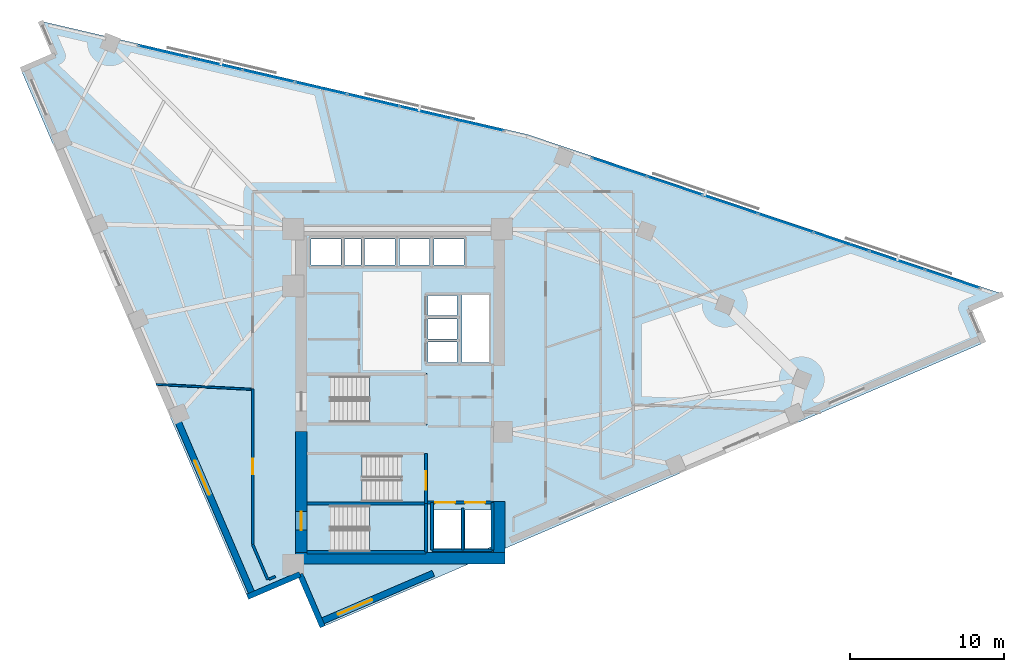
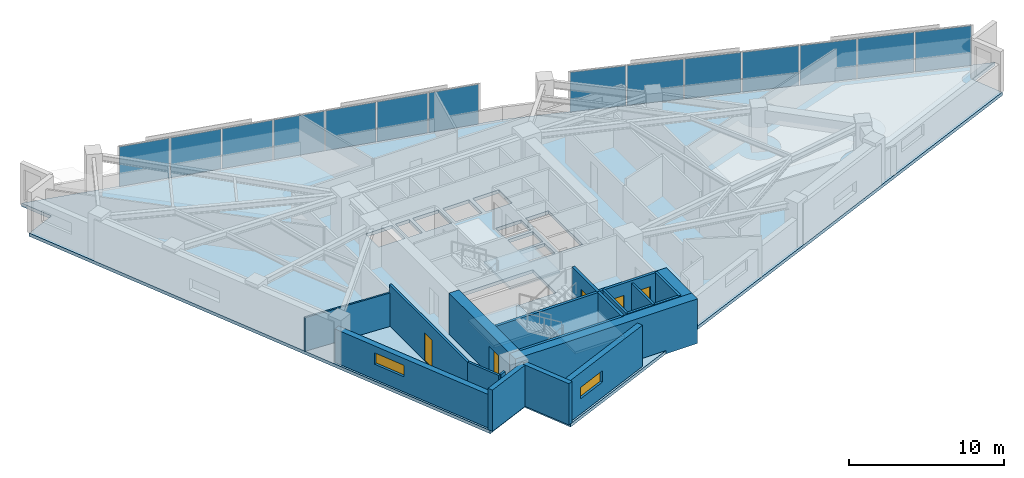
# One storey, part 8 of 15: 20 walls, 14 plates, 5 doors, 4 slabs, 2 windows, 7 openings, 5 elements without a shape of their own.
"""IFC4 building model written with IfcOpenShell, lengths in metres."""

from ifc_helpers import new_model, si_unit, direction, frame, frame_2d, origin, origin_2d, place, context, subcontext, project, spatial, polyline, rectangle, outline, extrude, material, layer, layer_set, type_object, element, fill, aggregate, save


model = new_model("IFC4")

# Units and contexts
model_context = context("Model", 3, precision=1e-05, world=origin(), true_north=direction((0.0, 1.0)))
body_context = subcontext(model_context, "Body", "Model", "MODEL_VIEW")
ifc_project = project(units=[si_unit("LENGTHUNIT", "METRE"), si_unit("AREAUNIT", "SQUARE_METRE"), si_unit("VOLUMEUNIT", "CUBIC_METRE"), si_unit("PLANEANGLEUNIT", "RADIAN"), si_unit("MASSUNIT", "GRAM", prefix="KILO")], contexts=[model_context])

# Site, building, storey
site_placement = place(None, origin())
site = spatial("IfcSite", under=ifc_project, at=site_placement, CompositionType="ELEMENT")
building_placement = place(site_placement, origin())
building = spatial("IfcBuilding", under=site, at=building_placement, Name="Narakoshi Arena Tower", CompositionType="ELEMENT")
storey_placement = place(building_placement, frame((0.0, 0.0, 186.139892578125)))
storey = spatial("IfcBuildingStorey", under=building, at=storey_placement, Name="L50", CompositionType="ELEMENT", Elevation=186.139892578125)

# Curtain wall, plates
ifc_material_1 = material(Name="Anodised bronze aluminium 6063-T6", Category="aluminium")
curtain_wall_type = type_object("IfcCurtainWallType", Name="CW-HYP-MID", PredefinedType="NOTDEFINED", material=ifc_material_1)
curtain_wall_1_placement = place(storey_placement, origin())
curtain_wall_1 = element("IfcCurtainWall", 1, at=curtain_wall_1_placement, inside=storey, type_object=curtain_wall_type, Name="L50 Folded Hypotenuse Curtain Wall 1-1", PredefinedType="NOTDEFINED")
ifc_material_2 = material(Name="Bronze-tinted low-E laminated glass", Category="glass")
ifc_layer_1 = layer(ifc_material_2, 0.0380859375)
ifc_layer_set_1 = layer_set([ifc_layer_1], Name="Bronze-tinted low-E laminated glass")
plate_type = type_object("IfcPlateType", Name="PLT-GLZ-38", PredefinedType="CURTAIN_PANEL", material=ifc_layer_set_1)
plate_1_placement = place(storey_placement, frame((114.78466796875, 53.2509765625, 0.065185546875), z_axis=(0.0, 0.0, 1.0), x_axis=(-0.948003144077, 0.318260960253, 0.0)))
plate_1 = element("IfcPlate", 2, at=plate_1_placement, type_object=plate_type, Name="CW-02 panel 1.1", PredefinedType="CURTAIN_PANEL", context=body_context, shape_type="SweptSolid", body=[
    extrude(rectangle(XDim=3.69287109375, YDim=0.0380859375, at=origin_2d()), origin(), (0.0, 0.0, 1.0), 3.1298828125),
])
plate_2_placement = place(storey_placement, frame((111.19482421875, 54.4560546875, 0.065185546875), z_axis=(0.0, 0.0, 1.0), x_axis=(-0.948003144077, 0.318260960253, 0.0)))
plate_2 = element("IfcPlate", 3, at=plate_2_placement, type_object=plate_type, Name="CW-02 panel 2.1", PredefinedType="CURTAIN_PANEL", context=body_context, shape_type="SweptSolid", body=[
    extrude(rectangle(XDim=3.73046875, YDim=0.0380859375, at=origin_2d()), origin(), (0.0, 0.0, 1.0), 3.1298828125),
])
plate_3_placement = place(storey_placement, frame((107.58740234375, 55.667236328125, 0.065185546875), z_axis=(0.0, 0.0, 1.0), x_axis=(-0.948003144077, 0.318260960253, 0.0)))
plate_3 = element("IfcPlate", 4, at=plate_3_placement, type_object=plate_type, Name="CW-02 panel 3.1", PredefinedType="CURTAIN_PANEL", context=body_context, shape_type="SweptSolid", body=[
    extrude(rectangle(XDim=3.73046875, YDim=0.0380859375, at=origin_2d()), origin(), (0.0, 0.0, 1.0), 3.1298828125),
])
plate_4_placement = place(storey_placement, frame((103.979736328125, 56.87841796875, 0.065185546875), z_axis=(0.0, 0.0, 1.0), x_axis=(-0.948003144077, 0.318260960253, 0.0)))
plate_4 = element("IfcPlate", 5, at=plate_4_placement, type_object=plate_type, Name="CW-02 panel 4.1", PredefinedType="CURTAIN_PANEL", context=body_context, shape_type="SweptSolid", body=[
    extrude(rectangle(XDim=3.73046875, YDim=0.0380859375, at=origin_2d()), origin(), (0.0, 0.0, 1.0), 3.1298828125),
])
plate_5_placement = place(storey_placement, frame((100.3720703125, 58.089599609375, 0.065185546875), z_axis=(0.0, 0.0, 1.0), x_axis=(-0.948003144077, 0.318260960253, 0.0)))
plate_5 = element("IfcPlate", 6, at=plate_5_placement, type_object=plate_type, Name="CW-02 panel 5.1", PredefinedType="CURTAIN_PANEL", context=body_context, shape_type="SweptSolid", body=[
    extrude(rectangle(XDim=3.73046875, YDim=0.0380859375, at=origin_2d()), origin(), (0.0, 0.0, 1.0), 3.1298828125),
])
plate_6_placement = place(storey_placement, frame((96.7646484375, 59.300537109375, 0.065185546875), z_axis=(0.0, 0.0, 1.0), x_axis=(-0.948003144077, 0.318260960253, 0.0)))
plate_6 = element("IfcPlate", 7, at=plate_6_placement, type_object=plate_type, Name="CW-02 panel 6.1", PredefinedType="CURTAIN_PANEL", context=body_context, shape_type="SweptSolid", body=[
    extrude(rectangle(XDim=3.73046875, YDim=0.0380859375, at=origin_2d()), origin(), (0.0, 0.0, 1.0), 3.1298828125),
])
plate_7_placement = place(storey_placement, frame((93.1748046875, 60.505859375, 0.065185546875), z_axis=(0.0, 0.0, 1.0), x_axis=(-0.948003144077, 0.318260960253, 0.0)))
plate_7 = element("IfcPlate", 8, at=plate_7_placement, type_object=plate_type, Name="CW-02 panel 7.1", PredefinedType="CURTAIN_PANEL", context=body_context, shape_type="SweptSolid", body=[
    extrude(rectangle(XDim=3.69287109375, YDim=0.0380859375, at=origin_2d()), origin(), (0.0, 0.0, 1.0), 3.1298828125),
])
aggregate(curtain_wall_1, [plate_1, plate_2, plate_3, plate_4, plate_5, plate_6, plate_7])

curtain_wall_2_placement = place(storey_placement, origin())
curtain_wall_2 = element("IfcCurtainWall", 9, at=curtain_wall_2_placement, inside=storey, type_object=curtain_wall_type, Name="L50 Folded Hypotenuse Curtain Wall 2-1", PredefinedType="NOTDEFINED")
plate_8_placement = place(storey_placement, frame((83.994384765625, 63.260986328125, 0.065185546875), z_axis=(0.0, 0.0, 1.0), x_axis=(-0.973959704148, 0.226721182724, 0.0)))
plate_8 = element("IfcPlate", 10, at=plate_8_placement, type_object=plate_type, Name="CW-02 panel 1.1", PredefinedType="CURTAIN_PANEL", context=body_context, shape_type="SweptSolid", body=[
    extrude(rectangle(XDim=3.37939453125, YDim=0.0380859375, at=origin_2d()), origin(), (0.0, 0.0, 1.0), 3.1298828125),
])
plate_9_placement = place(storey_placement, frame((80.61181640625, 64.048583984375, 0.065185546875), z_axis=(0.0, 0.0, 1.0), x_axis=(-0.973959704148, 0.226721182724, 0.0)))
plate_9 = element("IfcPlate", 11, at=plate_9_placement, type_object=plate_type, Name="CW-02 panel 2.1", PredefinedType="CURTAIN_PANEL", context=body_context, shape_type="SweptSolid", body=[
    extrude(rectangle(XDim=3.416748046875, YDim=0.0380859375, at=origin_2d()), origin(), (0.0, 0.0, 1.0), 3.1298828125),
])
plate_10_placement = place(storey_placement, frame((77.2109375, 64.840087890625, 0.065185546875), z_axis=(0.0, 0.0, 1.0), x_axis=(-0.973959704148, 0.226721182724, 0.0)))
plate_10 = element("IfcPlate", 12, at=plate_10_placement, type_object=plate_type, Name="CW-02 panel 3.1", PredefinedType="CURTAIN_PANEL", context=body_context, shape_type="SweptSolid", body=[
    extrude(rectangle(XDim=3.416748046875, YDim=0.0380859375, at=origin_2d()), origin(), (0.0, 0.0, 1.0), 3.1298828125),
])
plate_11_placement = place(storey_placement, frame((73.81005859375, 65.6318359375, 0.065185546875), z_axis=(0.0, 0.0, 1.0), x_axis=(-0.973959704148, 0.226721182724, 0.0)))
plate_11 = element("IfcPlate", 13, at=plate_11_placement, type_object=plate_type, Name="CW-02 panel 4.1", PredefinedType="CURTAIN_PANEL", context=body_context, shape_type="SweptSolid", body=[
    extrude(rectangle(XDim=3.416748046875, YDim=0.0380859375, at=origin_2d()), origin(), (0.0, 0.0, 1.0), 3.1298828125),
])
plate_12_placement = place(storey_placement, frame((70.4091796875, 66.423583984375, 0.065185546875), z_axis=(0.0, 0.0, 1.0), x_axis=(-0.973959704148, 0.226721182724, 0.0)))
plate_12 = element("IfcPlate", 14, at=plate_12_placement, type_object=plate_type, Name="CW-02 panel 5.1", PredefinedType="CURTAIN_PANEL", context=body_context, shape_type="SweptSolid", body=[
    extrude(rectangle(XDim=3.416748046875, YDim=0.0380859375, at=origin_2d()), origin(), (0.0, 0.0, 1.0), 3.1298828125),
])
plate_13_placement = place(storey_placement, frame((67.00830078125, 67.215087890625, 0.065185546875), z_axis=(0.0, 0.0, 1.0), x_axis=(-0.973959704148, 0.226721182724, 0.0)))
plate_13 = element("IfcPlate", 15, at=plate_13_placement, type_object=plate_type, Name="CW-02 panel 6.1", PredefinedType="CURTAIN_PANEL", context=body_context, shape_type="SweptSolid", body=[
    extrude(rectangle(XDim=3.416748046875, YDim=0.0380859375, at=origin_2d()), origin(), (0.0, 0.0, 1.0), 3.1298828125),
])
plate_14_placement = place(storey_placement, frame((63.625732421875, 68.002685546875, 0.065185546875), z_axis=(0.0, 0.0, 1.0), x_axis=(-0.973959704148, 0.226721182724, 0.0)))
plate_14 = element("IfcPlate", 16, at=plate_14_placement, type_object=plate_type, Name="CW-02 panel 7.1", PredefinedType="CURTAIN_PANEL", context=body_context, shape_type="SweptSolid", body=[
    extrude(rectangle(XDim=3.37939453125, YDim=0.0380859375, at=origin_2d()), origin(), (0.0, 0.0, 1.0), 3.1298828125),
])
aggregate(curtain_wall_2, [plate_8, plate_9, plate_10, plate_11, plate_12, plate_13, plate_14])

# Stair, slab
ifc_material_3 = material(Name="Concrete C45/55", Category="concrete")
stair_type = type_object("IfcStairType", Name="STR-CORE-352", PredefinedType="TWO_STRAIGHT_RUN_STAIR", material=ifc_material_3)
stair_1_placement = place(storey_placement, origin())
stair_1 = element("IfcStair", 17, at=stair_1_placement, inside=storey, type_object=stair_type, Name="L50 Core Escape Stair ST1", PredefinedType="TWO_STRAIGHT_RUN_STAIR")
ifc_layer_2 = layer(ifc_material_3, 0.18994140625)
ifc_layer_set_2 = layer_set([ifc_layer_2], Name="Concrete C45/55")
slab_type_1 = type_object("IfcSlabType", Name="SLB-LND-190", PredefinedType="LANDING", material=ifc_layer_set_2)
slab_1_placement = place(storey_placement, frame((0.0, 0.0, 1.570068359375)))
slab_1 = element("IfcSlab", 18, at=slab_1_placement, type_object=slab_type_1, Name="ST1 landing 1", PredefinedType="LANDING", context=body_context, shape_type="SweptSolid", body=[
    extrude(outline(polyline([(76.965087890625, 35.3701171875), (80.679931640625, 35.3701171875), (80.679931640625, 38.72998046875), (76.965087890625, 38.72998046875), (76.965087890625, 35.3701171875)])), origin(), (0.0, 0.0, 1.0), 0.18994140625),
])
aggregate(stair_1, [slab_1])

stair_2_placement = place(storey_placement, origin())
stair_2 = element("IfcStair", 19, at=stair_2_placement, inside=storey, type_object=stair_type, Name="L50 Core Escape Stair ST2", PredefinedType="TWO_STRAIGHT_RUN_STAIR")
slab_2_placement = place(storey_placement, frame((0.0, 0.0, 1.570068359375)))
slab_2 = element("IfcSlab", 20, at=slab_2_placement, type_object=slab_type_1, Name="ST2 landing 1", PredefinedType="LANDING", context=body_context, shape_type="SweptSolid", body=[
    extrude(outline(polyline([(72.77001953125, 38.6201171875), (76.485107421875, 38.6201171875), (76.485107421875, 41.97998046875), (72.77001953125, 41.97998046875), (72.77001953125, 38.6201171875)])), origin(), (0.0, 0.0, 1.0), 0.18994140625),
])
aggregate(stair_2, [slab_2])

stair_3_placement = place(storey_placement, origin())
stair_3 = element("IfcStair", 21, at=stair_3_placement, inside=storey, type_object=stair_type, Name="L50 Core Escape Stair ST3", PredefinedType="TWO_STRAIGHT_RUN_STAIR")
slab_3_placement = place(storey_placement, frame((0.0, 0.0, 1.570068359375)))
slab_3 = element("IfcSlab", 22, at=slab_3_placement, type_object=slab_type_1, Name="ST3 landing 1", PredefinedType="LANDING", context=body_context, shape_type="SweptSolid", body=[
    extrude(outline(polyline([(76.965087890625, 43.77001953125), (80.679931640625, 43.77001953125), (80.679931640625, 47.1298828125), (76.965087890625, 47.1298828125), (76.965087890625, 43.77001953125)])), origin(), (0.0, 0.0, 1.0), 0.18994140625),
])
aggregate(stair_3, [slab_3])

# Slab
ifc_material_4 = material(Name="Concrete C50/60", Category="concrete")
ifc_layer_3 = layer(ifc_material_4, 0.260009765625)
ifc_layer_set_3 = layer_set([ifc_layer_3], Name="Concrete C50/60")
slab_type_2 = type_object("IfcSlabType", Name="SLB-SKY-260", PredefinedType="FLOOR", material=ifc_layer_set_3)
slab_4_placement = place(storey_placement, frame((0.0, 0.0, -0.260009765625)))
element("IfcSlab", 23, at=slab_4_placement, inside=storey, type_object=slab_type_2, Name="L50 Structural Floor Slab", PredefinedType="FLOOR", context=body_context, shape_type="SweptSolid", body=[
    extrude(outline(polyline([(73.9169921875, 30.68115234375), (116.8017578125, 49.105712890625), (115.84912109375, 51.3232421875), (118.06640625, 52.27587890625), (87.201416015625, 62.6376953125), (55.614013671875, 69.99072265625), (56.56640625, 67.7734375), (54.34912109375, 66.82080078125), (69.0400390625, 32.626708984375), (72.451416015625, 34.09228515625), (73.9169921875, 30.68115234375)]), holes=[polyline([(80.5, 35.550048828125), (74.47998046875, 35.550048828125), (74.47998046875, 38.550048828125), (80.5, 38.550048828125), (80.5, 35.550048828125)]), polyline([(82.89990234375, 35.75), (81.14990234375, 35.75), (81.14990234375, 38.25), (82.89990234375, 38.25), (82.89990234375, 35.75)]), polyline([(84.5751953125, 35.75), (83.14990234375, 35.75), (83.14990234375, 38.25), (84.89990234375, 38.25), (84.89990234375, 35.889404296875), (84.5751953125, 35.75)]), polyline([(72.949951171875, 38.800048828125), (72.949951171875, 41.800048828125), (78.969970703125, 41.800048828125), (78.969970703125, 38.800048828125), (72.949951171875, 38.800048828125)]), polyline([(74.47998046875, 43.949951171875), (74.47998046875, 46.949951171875), (80.5, 46.949951171875), (80.5, 43.949951171875), (74.47998046875, 43.949951171875)]), polyline([(82.949951171875, 47.840087890625), (82.949951171875, 52.199951171875), (84.699951171875, 52.199951171875), (84.699951171875, 47.840087890625), (82.949951171875, 47.840087890625)]), polyline([(80.75, 47.85009765625), (80.75, 49.14990234375), (82.64990234375, 49.14990234375), (82.64990234375, 47.85009765625), (80.75, 47.85009765625)]), polyline([(80.75, 49.3701171875), (80.75, 50.669921875), (82.64990234375, 50.669921875), (82.64990234375, 49.3701171875), (80.75, 49.3701171875)]), polyline([(80.75, 50.889892578125), (80.75, 52.18994140625), (82.64990234375, 52.18994140625), (82.64990234375, 50.889892578125), (80.75, 50.889892578125)]), polyline([(73.14990234375, 54.14990234375), (73.14990234375, 55.85009765625), (75.10009765625, 55.85009765625), (75.10009765625, 54.14990234375), (73.14990234375, 54.14990234375)]), polyline([(75.35009765625, 54.14990234375), (75.35009765625, 55.85009765625), (76.39990234375, 55.85009765625), (76.39990234375, 54.14990234375), (75.35009765625, 54.14990234375)]), polyline([(76.64990234375, 54.14990234375), (76.64990234375, 55.85009765625), (78.60009765625, 55.85009765625), (78.60009765625, 54.14990234375), (76.64990234375, 54.14990234375)]), polyline([(78.89990234375, 54.14990234375), (78.89990234375, 55.85009765625), (80.85009765625, 55.85009765625), (80.85009765625, 54.14990234375), (78.89990234375, 54.14990234375)]), polyline([(81.14990234375, 54.14990234375), (81.14990234375, 55.85009765625), (83.10009765625, 55.85009765625), (83.10009765625, 54.14990234375), (81.14990234375, 54.14990234375)])]), origin(), (0.0, 0.0, 1.0), 0.260009765625),
])

# Wall, opening, door
ifc_layer_4 = layer(ifc_material_4, 0.75)
ifc_layer_set_4 = layer_set([ifc_layer_4], Name="Concrete C50/60")
wall_type_1 = type_object("IfcWallType", Name="WL-CORE-750", PredefinedType="SHEAR", material=ifc_layer_set_4)
wall_1_placement = place(storey_placement, frame((72.52490234375, 35.5, -0.260009765625), z_axis=(0.0, 0.0, 1.0), x_axis=(0.0, 1.0, 0.0)))
wall_1 = element("IfcWall", 24, at=wall_1_placement, inside=storey, type_object=wall_type_1, Name="L50 Central Core Shear Wall CW-APX-W", PredefinedType="SHEAR", context=body_context, shape_type="SweptSolid", body=[
    extrude(rectangle(XDim=7.85009765625, YDim=0.75, at=frame_2d((3.925048828125, 0.0))), origin(), (0.0, 0.0, 1.0), 3.52001953125),
])
opening_1_placement = place(wall_1_placement, frame((1.449951171875, 0.0, 0.260009765625)))
opening_1 = element("IfcOpeningElement", 25, at=opening_1_placement, cuts=wall_1, Name="Opening D-03", PredefinedType="OPENING", context=body_context, shape_type="SweptSolid", body=[
    extrude(rectangle(XDim=1.199951171875, YDim=2.199951171875, at=frame_2d((0.60009765625, 1.10009765625))), frame((0.0, 0.385009765625, 0.0), z_axis=(0.0, -1.0, 0.0), x_axis=(1.0, 0.0, 0.0)), (0.0, 0.0, 1.0), 0.77001953125),
])
ifc_material_5 = material(Name="Painted galvanized steel", Category="steel")
door_type_1 = type_object("IfcDoorType", Name="DR-STR-1200", OperationType="NOTDEFINED", PredefinedType="USERDEFINED", material=ifc_material_5)
door_1_placement = place(opening_1_placement, frame((1.199951171875, 0.0, 0.0), z_axis=(0.0, 0.0, 1.0), x_axis=(-1.0, 0.0, 0.0)))
door_1 = element("IfcDoor", 26, at=door_1_placement, inside=storey, type_object=door_type_1, Name="DR-L50-001", ObjectType="EXITDOOR", OperationType="SINGLE_SWING_LEFT", OverallHeight=2.199951171875, OverallWidth=1.199951171875, PredefinedType="USERDEFINED", context=body_context, shape_type="SweptSolid", body=[
    extrude(rectangle(XDim=1.199951171875, YDim=2.199951171875, at=frame_2d((0.60009765625, 1.10009765625))), frame((0.0, 0.02490234375, 0.0), z_axis=(0.0, -1.0, 0.0), x_axis=(1.0, 0.0, 0.0)), (0.0, 0.0, 1.0), 0.050048828125),
])
fill(opening_1, door_1)

# Walls
wall_2_placement = place(storey_placement, frame((72.14990234375, 35.125, -0.260009765625), z_axis=(0.0, 0.0, 1.0), x_axis=(1.0, 0.0, 0.0)))
element("IfcWall", 27, at=wall_2_placement, inside=storey, type_object=wall_type_1, Name="L50 Central Core Shear Wall CW-APX-S", PredefinedType="SHEAR", context=body_context, shape_type="SweptSolid", body=[
    extrude(rectangle(XDim=13.60009765625, YDim=0.75, at=frame_2d((6.800048828125, 0.0))), origin(), (0.0, 0.0, 1.0), 3.52001953125),
])
wall_3_placement = place(storey_placement, frame((85.375, 35.5, -0.260009765625), z_axis=(0.0, 0.0, 1.0), x_axis=(0.0, 1.0, 0.0)))
element("IfcWall", 28, at=wall_3_placement, inside=storey, type_object=wall_type_1, Name="L50 Central Core Shear Wall CW-APX-E", PredefinedType="SHEAR", context=body_context, shape_type="SweptSolid", body=[
    extrude(rectangle(XDim=3.300048828125, YDim=0.75, at=frame_2d((1.64990234375, 0.0))), origin(), (0.0, 0.0, 1.0), 3.52001953125),
])

# Wall, opening, door
ifc_material_6 = material(Name="Gypsum plasterboard fire-rated partition")
ifc_layer_5 = layer(ifc_material_6, 0.1650390625)
ifc_layer_set_5 = layer_set([ifc_layer_5], Name="Gypsum plasterboard fire-rated partition")
wall_type_2 = type_object("IfcWallType", Name="WL-CORR-165", PredefinedType="PARTITIONING", material=ifc_layer_set_5)
wall_4_placement = place(storey_placement, frame((69.376220703125, 46.12548828125, 0.0), z_axis=(0.0, 0.0, 1.0), x_axis=(0.0, -1.0, 0.0)))
wall_4 = element("IfcWall", 29, at=wall_4_placement, inside=storey, type_object=wall_type_2, Name="L50 Corridor Partition 01-1", PredefinedType="PARTITIONING", context=body_context, shape_type="SweptSolid", body=[
    extrude(rectangle(XDim=10.10107421875, YDim=0.1650390625, at=frame_2d((5.050537109375, 0.0))), origin(), (0.0, 0.0, 1.0), 3.260009765625),
])
opening_2_placement = place(wall_4_placement, frame((4.550537109375, 0.0, 0.0)))
opening_2 = element("IfcOpeningElement", 30, at=opening_2_placement, cuts=wall_4, Name="Opening D-06", PredefinedType="OPENING", context=body_context, shape_type="SweptSolid", body=[
    extrude(rectangle(XDim=1.0, YDim=2.199951171875, at=frame_2d((0.5, 1.10009765625))), frame((0.0, 0.092529296875, 0.0), z_axis=(0.0, -1.0, 0.0), x_axis=(1.0, 0.0, 0.0)), (0.0, 0.0, 1.0), 0.18505859375),
])
ifc_material_7 = material(Name="Stained oak solid-core timber", Category="wood")
door_type_2 = type_object("IfcDoorType", Name="DR-OFF-1000", OperationType="NOTDEFINED", PredefinedType="DOOR", material=ifc_material_7)
door_2_placement = place(opening_2_placement, frame((1.0, 0.0, 0.0), z_axis=(0.0, 0.0, 1.0), x_axis=(-1.0, 0.0, 0.0)))
door_2 = element("IfcDoor", 31, at=door_2_placement, inside=storey, type_object=door_type_2, Name="DR-L50-015", OperationType="SINGLE_SWING_RIGHT", OverallHeight=2.199951171875, OverallWidth=1.0, PredefinedType="DOOR", context=body_context, shape_type="SweptSolid", body=[
    extrude(rectangle(XDim=1.0, YDim=2.199951171875, at=frame_2d((0.5, 1.10009765625))), frame((0.0, 0.02490234375, 0.0), z_axis=(0.0, -1.0, 0.0), x_axis=(1.0, 0.0, 0.0)), (0.0, 0.0, 1.0), 0.050048828125),
])
fill(opening_2, door_2)

# Walls
wall_5_placement = place(storey_placement, frame((69.376220703125, 36.0244140625, 0.0), z_axis=(0.0, 0.0, 1.0), x_axis=(0.394712324254, -0.91880475678, 0.0)))
element("IfcWall", 32, at=wall_5_placement, inside=storey, type_object=wall_type_2, Name="L50 Corridor Partition 01-2", PredefinedType="PARTITIONING", context=body_context, shape_type="SweptSolid", body=[
    extrude(rectangle(XDim=2.489013671875, YDim=0.1650390625, at=frame_2d((1.24462890625, 0.0))), origin(), (0.0, 0.0, 1.0), 3.260009765625),
])
wall_6_placement = place(storey_placement, frame((70.445556640625, 33.77490234375, 0.0), z_axis=(0.0, 0.0, 1.0), x_axis=(0.918836319852, 0.394638844161, 0.0)))
element("IfcWall", 33, at=wall_6_placement, inside=storey, type_object=wall_type_2, Name="L50 Corridor Partition 01-3", PredefinedType="PARTITIONING", context=body_context, shape_type="SweptSolid", body=[
    extrude(rectangle(XDim=0.450439453125, YDim=0.1650390625, at=frame_2d((0.22509765625, 0.0))), origin(), (0.0, 0.0, 1.0), 3.260009765625),
])
ifc_layer_6 = layer(ifc_material_6, 0.125)
ifc_layer_set_6 = layer_set([ifc_layer_6], Name="Gypsum plasterboard fire-rated partition")
wall_type_3 = type_object("IfcWallType", Name="WL-PART-125", PredefinedType="PARTITIONING", material=ifc_layer_set_6)
wall_7_placement = place(storey_placement, frame((63.1181640625, 46.410400390625, 0.0), z_axis=(0.0, 0.0, 1.0), x_axis=(0.998689012004, -0.051188448924, 0.0)))
element("IfcWall", 34, at=wall_7_placement, inside=storey, type_object=wall_type_3, Name="L50 Inter-Room Partition 01-09", PredefinedType="PARTITIONING", context=body_context, shape_type="SweptSolid", body=[
    extrude(rectangle(XDim=6.171630859375, YDim=0.125, at=frame_2d((3.0859375, 0.0))), origin(), (0.0, 0.0, 1.0), 2.64501953125),
])

# Wall, opening, window
ifc_material_8 = material(Name="Precast concrete C45/55", Category="concrete")
ifc_layer_7 = layer(ifc_material_8, 0.419921875)
ifc_layer_set_7 = layer_set([ifc_layer_7], Name="Precast concrete C45/55")
wall_type_4 = type_object("IfcWallType", Name="WL-POD-420", PredefinedType="SOLIDWALL", material=ifc_layer_set_7)
wall_8_placement = place(storey_placement, frame((73.77880859375, 31.002685546875, 0.0), z_axis=(0.0, 0.0, 1.0), x_axis=(0.918797817688, 0.394728476565, 0.0)))
wall_8 = element("IfcWall", 35, at=wall_8_placement, inside=storey, type_object=wall_type_4, Name="L50 Architectural Concrete Facade Wall LEGA-1", PredefinedType="SOLIDWALL", context=body_context, shape_type="SweptSolid", body=[
    extrude(rectangle(XDim=7.97314453125, YDim=0.419921875, at=frame_2d((3.986572265625, 0.0))), origin(), (0.0, 0.0, 1.0), 3.260009765625),
])
opening_3_placement = place(wall_8_placement, frame((1.234130859375, 0.0, 1.199951171875)))
opening_3 = element("IfcOpeningElement", 36, at=opening_3_placement, cuts=wall_8, Name="Opening WN-01", PredefinedType="OPENING", context=body_context, shape_type="SweptSolid", body=[
    extrude(rectangle(XDim=2.39990234375, YDim=0.89990234375, at=frame_2d((1.199951171875, 0.449951171875))), frame((0.0, 0.219970703125, 0.0), z_axis=(0.0, -1.0, 0.0), x_axis=(1.0, 0.0, 0.0)), (0.0, 0.0, 1.0), 0.43994140625),
])
window_type = type_object("IfcWindowType", Name="WIN-SLT-24x09", PartitioningType="SINGLE_PANEL", PredefinedType="WINDOW", material=ifc_material_2)
window_1_placement = place(opening_3_placement, origin())
window_1 = element("IfcWindow", 37, at=window_1_placement, inside=storey, type_object=window_type, Name="L50 LEGA1 Horizontal Slot Window 1", OverallHeight=0.89990234375, OverallWidth=2.39990234375, PartitioningType="SINGLE_PANEL", PredefinedType="WINDOW", context=body_context, shape_type="SweptSolid", body=[
    extrude(rectangle(XDim=2.39990234375, YDim=0.89990234375, at=frame_2d((1.199951171875, 0.449951171875))), frame((0.0, 0.030029296875, 0.0), z_axis=(0.0, -1.0, 0.0), x_axis=(1.0, 0.0, 0.0)), (0.0, 0.0, 1.0), 0.06005859375),
])
fill(opening_3, window_1)

wall_9_placement = place(storey_placement, frame((64.36669921875, 44.390869140625, 0.0), z_axis=(0.0, 0.0, 1.0), x_axis=(0.394757430431, -0.918785378159, 0.0)))
wall_9 = element("IfcWall", 38, at=wall_9_placement, inside=storey, type_object=wall_type_4, Name="L50 Architectural Concrete Facade Wall LEGB-3", PredefinedType="SOLIDWALL", context=body_context, shape_type="SweptSolid", body=[
    extrude(rectangle(XDim=12.653564453125, YDim=0.419921875, at=frame_2d((6.32666015625, 0.0))), origin(), (0.0, 0.0, 1.0), 2.64501953125),
])
opening_4_placement = place(wall_9_placement, frame((3.193115234375, 0.0, 1.199951171875)))
opening_4 = element("IfcOpeningElement", 39, at=opening_4_placement, cuts=wall_9, Name="Opening WN-01", PredefinedType="OPENING", context=body_context, shape_type="SweptSolid", body=[
    extrude(rectangle(XDim=2.39990234375, YDim=0.89990234375, at=frame_2d((1.199951171875, 0.449951171875))), frame((0.0, 0.219970703125, 0.0), z_axis=(0.0, -1.0, 0.0), x_axis=(1.0, 0.0, 0.0)), (0.0, 0.0, 1.0), 0.43994140625),
])
window_2_placement = place(opening_4_placement, origin())
window_2 = element("IfcWindow", 40, at=window_2_placement, inside=storey, type_object=window_type, Name="L50 LEGB3 Horizontal Slot Window 1", OverallHeight=0.89990234375, OverallWidth=2.39990234375, PartitioningType="SINGLE_PANEL", PredefinedType="WINDOW", context=body_context, shape_type="SweptSolid", body=[
    extrude(rectangle(XDim=2.39990234375, YDim=0.89990234375, at=frame_2d((1.199951171875, 0.449951171875))), frame((0.0, 0.030029296875, 0.0), z_axis=(0.0, -1.0, 0.0), x_axis=(1.0, 0.0, 0.0)), (0.0, 0.0, 1.0), 0.06005859375),
])
fill(opening_4, window_2)

# Walls
wall_10_placement = place(storey_placement, frame((69.0400390625, 32.626708984375, 0.0), z_axis=(0.0, 0.0, 1.0), x_axis=(0.91879775808, 0.394728615312, 0.0)))
element("IfcWall", 41, at=wall_10_placement, inside=storey, type_object=wall_type_4, Name="L50 Re-Entrant Corner Notch Wall NTA-1", PredefinedType="SOLIDWALL", context=body_context, shape_type="SweptSolid", body=[
    extrude(rectangle(XDim=3.712890625, YDim=0.360107421875, at=frame_2d((1.8564453125, 0.0))), origin(), (0.0, 0.0, 1.0), 3.260009765625),
])
wall_11_placement = place(storey_placement, frame((72.451416015625, 34.09228515625, 0.0), z_axis=(0.0, 0.0, 1.0), x_axis=(0.394752464447, -0.918787511786, 0.0)))
element("IfcWall", 42, at=wall_11_placement, inside=storey, type_object=wall_type_4, Name="L50 Re-Entrant Corner Notch Wall NTA-2", PredefinedType="SOLIDWALL", context=body_context, shape_type="SweptSolid", body=[
    extrude(rectangle(XDim=3.712646484375, YDim=0.360107421875, at=frame_2d((1.8564453125, 0.0))), origin(), (0.0, 0.0, 1.0), 3.260009765625),
])
ifc_material_9 = material(Name="Concrete C40/50", Category="concrete")
ifc_layer_8 = layer(ifc_material_9, 0.280029296875)
ifc_layer_set_8 = layer_set([ifc_layer_8], Name="Concrete C40/50")
wall_type_5 = type_object("IfcWallType", Name="WL-RISER-280", PredefinedType="PLUMBINGWALL", material=ifc_layer_set_8)
wall_12_placement = place(storey_placement, frame((83.0, 35.64990234375, 0.0), z_axis=(0.0, 0.0, 1.0), x_axis=(0.0, 1.0, 0.0)))
element("IfcWall", 43, at=wall_12_placement, inside=storey, type_object=wall_type_5, Name="L50 Core Wall FF-DIV", PredefinedType="PLUMBINGWALL", context=body_context, shape_type="SweptSolid", body=[
    extrude(rectangle(XDim=2.75, YDim=0.159912109375, at=frame_2d((1.375, 0.0))), origin(), (0.0, 0.0, 1.0), 3.260009765625),
])
ifc_layer_9 = layer(ifc_material_4, 0.35009765625)
ifc_layer_set_9 = layer_set([ifc_layer_9], Name="Concrete C50/60")
wall_type_6 = type_object("IfcWallType", Name="WL-SHAFT-350", PredefinedType="SOLIDWALL", material=ifc_layer_set_9)
for number, where, z_axis, x_axis, name in (
    (44, (72.919921875, 35.52001953125, -0.260009765625), (0.0, 0.0, 1.0), (1.0, 0.0, 0.0), "L50 Core Wall ST1-S"),
    (45, (72.919921875, 38.675048828125, -0.260009765625), (0.0, 0.0, 1.0), (1.0, 0.0, 0.0), "L50 Core Wall ST12-DIV"),
):
    element("IfcWall", number, at=place(storey_placement, frame(where, z_axis=z_axis, x_axis=x_axis)), inside=storey, type_object=wall_type_6, Name=name, PredefinedType="SOLIDWALL", context=body_context, shape_type="SweptSolid", body=[
        extrude(rectangle(XDim=7.7001953125, YDim=0.199951171875, at=frame_2d((3.85009765625, 0.0))), origin(), (0.0, 0.0, 1.0), 3.52001953125),
    ])
wall_13_placement = place(storey_placement, frame((80.6201171875, 35.52001953125, -0.260009765625), z_axis=(0.0, 0.0, 1.0), x_axis=(0.0, 1.0, 0.0)))
element("IfcWall", 46, at=wall_13_placement, inside=storey, type_object=wall_type_6, Name="L50 Core Wall ST1-E", PredefinedType="SOLIDWALL", context=body_context, shape_type="SweptSolid", body=[
    extrude(rectangle(XDim=3.155029296875, YDim=0.199951171875, at=frame_2d((1.57763671875, 0.0))), origin(), (0.0, 0.0, 1.0), 3.52001953125),
])

# Wall, opening, door
wall_14_placement = place(storey_placement, frame((80.6201171875, 38.675048828125, -0.260009765625), z_axis=(0.0, 0.0, 1.0), x_axis=(0.0, 1.0, 0.0)))
wall_14 = element("IfcWall", 47, at=wall_14_placement, inside=storey, type_object=wall_type_6, Name="L50 Core Wall ST2-E", PredefinedType="SOLIDWALL", context=body_context, shape_type="SweptSolid", body=[
    extrude(rectangle(XDim=3.244873046875, YDim=0.199951171875, at=frame_2d((1.62255859375, 0.0))), origin(), (0.0, 0.0, 1.0), 3.52001953125),
])
opening_5_placement = place(wall_14_placement, frame((0.89990234375, 0.0, 0.260009765625)))
opening_5 = element("IfcOpeningElement", 48, at=opening_5_placement, cuts=wall_14, Name="Opening D-03", PredefinedType="OPENING", context=body_context, shape_type="SweptSolid", body=[
    extrude(rectangle(XDim=1.199951171875, YDim=2.199951171875, at=frame_2d((0.60009765625, 1.10009765625))), frame((0.0, 0.10986328125, 0.0), z_axis=(0.0, -1.0, 0.0), x_axis=(1.0, 0.0, 0.0)), (0.0, 0.0, 1.0), 0.219970703125),
])
door_3_placement = place(opening_5_placement, origin())
door_3 = element("IfcDoor", 49, at=door_3_placement, inside=storey, type_object=door_type_1, Name="DR-L50-002", ObjectType="EXITDOOR", OperationType="SINGLE_SWING_RIGHT", OverallHeight=2.199951171875, OverallWidth=1.199951171875, PredefinedType="USERDEFINED", context=body_context, shape_type="SweptSolid", body=[
    extrude(rectangle(XDim=1.199951171875, YDim=2.199951171875, at=frame_2d((0.60009765625, 1.10009765625))), frame((0.0, 0.02490234375, 0.0), z_axis=(0.0, -1.0, 0.0), x_axis=(1.0, 0.0, 0.0)), (0.0, 0.0, 1.0), 0.050048828125),
])
fill(opening_5, door_3)

# Wall, openings, doors
wall_15_placement = place(storey_placement, frame((80.719970703125, 38.75, 0.0), z_axis=(0.0, 0.0, 1.0), x_axis=(1.0, 0.0, 0.0)))
wall_15 = element("IfcWall", 50, at=wall_15_placement, inside=storey, type_object=wall_type_6, Name="L50 Core Wall FF-N", PredefinedType="SOLIDWALL", context=body_context, shape_type="SweptSolid", body=[
    extrude(rectangle(XDim=4.260009765625, YDim=0.199951171875, at=frame_2d((2.1298828125, 0.0))), origin(), (0.0, 0.0, 1.0), 3.260009765625),
])
opening_6_placement = place(wall_15_placement, frame((0.5, 0.0, 0.0)))
opening_6 = element("IfcOpeningElement", 51, at=opening_6_placement, cuts=wall_15, Name="Opening LD-02", PredefinedType="OPENING", context=body_context, shape_type="SweptSolid", body=[
    extrude(rectangle(XDim=1.300048828125, YDim=2.300048828125, at=frame_2d((0.64990234375, 1.14990234375))), frame((0.0, 0.10986328125, 0.0), z_axis=(0.0, -1.0, 0.0), x_axis=(1.0, 0.0, 0.0)), (0.0, 0.0, 1.0), 0.219970703125),
])
opening_7_placement = place(wall_15_placement, frame((2.449951171875, 0.0, 0.0)))
opening_7 = element("IfcOpeningElement", 52, at=opening_7_placement, cuts=wall_15, Name="Opening LD-02", PredefinedType="OPENING", context=body_context, shape_type="SweptSolid", body=[
    extrude(rectangle(XDim=1.300048828125, YDim=2.300048828125, at=frame_2d((0.64990234375, 1.14990234375))), frame((0.0, 0.10986328125, 0.0), z_axis=(0.0, -1.0, 0.0), x_axis=(1.0, 0.0, 0.0)), (0.0, 0.0, 1.0), 0.219970703125),
])
ifc_material_10 = material(Name="Brushed bronze stainless steel", Category="steel")
door_type_3 = type_object("IfcDoorType", Name="DR-LFT-1300", OperationType="DOUBLE_DOOR_SLIDING", PredefinedType="DOOR", material=ifc_material_10)
door_4_placement = place(opening_6_placement, origin())
door_4 = element("IfcDoor", 53, at=door_4_placement, inside=storey, type_object=door_type_3, Name="DR-L50-003", OperationType="DOUBLE_DOOR_SLIDING", OverallHeight=2.300048828125, OverallWidth=1.300048828125, PredefinedType="DOOR", context=body_context, shape_type="SweptSolid", body=[
    extrude(rectangle(XDim=1.300048828125, YDim=2.300048828125, at=frame_2d((0.64990234375, 1.14990234375))), frame((0.0, 0.02490234375, 0.0), z_axis=(0.0, -1.0, 0.0), x_axis=(1.0, 0.0, 0.0)), (0.0, 0.0, 1.0), 0.050048828125),
])
fill(opening_6, door_4)
door_5_placement = place(opening_7_placement, origin())
door_5 = element("IfcDoor", 54, at=door_5_placement, inside=storey, type_object=door_type_3, Name="DR-L50-004", OperationType="DOUBLE_DOOR_SLIDING", OverallHeight=2.300048828125, OverallWidth=1.300048828125, PredefinedType="DOOR", context=body_context, shape_type="SweptSolid", body=[
    extrude(rectangle(XDim=1.300048828125, YDim=2.300048828125, at=frame_2d((0.64990234375, 1.14990234375))), frame((0.0, 0.02490234375, 0.0), z_axis=(0.0, -1.0, 0.0), x_axis=(1.0, 0.0, 0.0)), (0.0, 0.0, 1.0), 0.050048828125),
])
fill(opening_7, door_5)

# Walls
for number, where, z_axis, x_axis, name in (
    (55, (84.949951171875, 35.64990234375, 0.0), (0.0, 0.0, 1.0), (0.0, 1.0, 0.0), "L50 Core Wall FF-E"),
    (56, (81.02001953125, 35.64990234375, 0.0), (0.0, 0.0, 1.0), (0.0, 1.0, 0.0), "L50 Core Wall FF-W"),
):
    element("IfcWall", number, at=place(storey_placement, frame(where, z_axis=z_axis, x_axis=x_axis)), inside=storey, type_object=wall_type_6, Name=name, PredefinedType="SOLIDWALL", context=body_context, shape_type="SweptSolid", body=[
        extrude(rectangle(XDim=3.10009765625, YDim=0.179931640625, at=frame_2d((1.550048828125, 0.0))), origin(), (0.0, 0.0, 1.0), 3.260009765625),
    ])
wall_16_placement = place(storey_placement, frame((81.02001953125, 35.64990234375, 0.0), z_axis=(0.0, 0.0, 1.0), x_axis=(1.0, 0.0, 0.0)))
element("IfcWall", 57, at=wall_16_placement, inside=storey, type_object=wall_type_6, Name="L50 Core Wall FF-S", PredefinedType="SOLIDWALL", context=body_context, shape_type="SweptSolid", body=[
    extrude(rectangle(XDim=3.929931640625, YDim=0.179931640625, at=frame_2d((1.96484375, 0.0))), origin(), (0.0, 0.0, 1.0), 3.260009765625),
])

save(model, "model.ifc")
